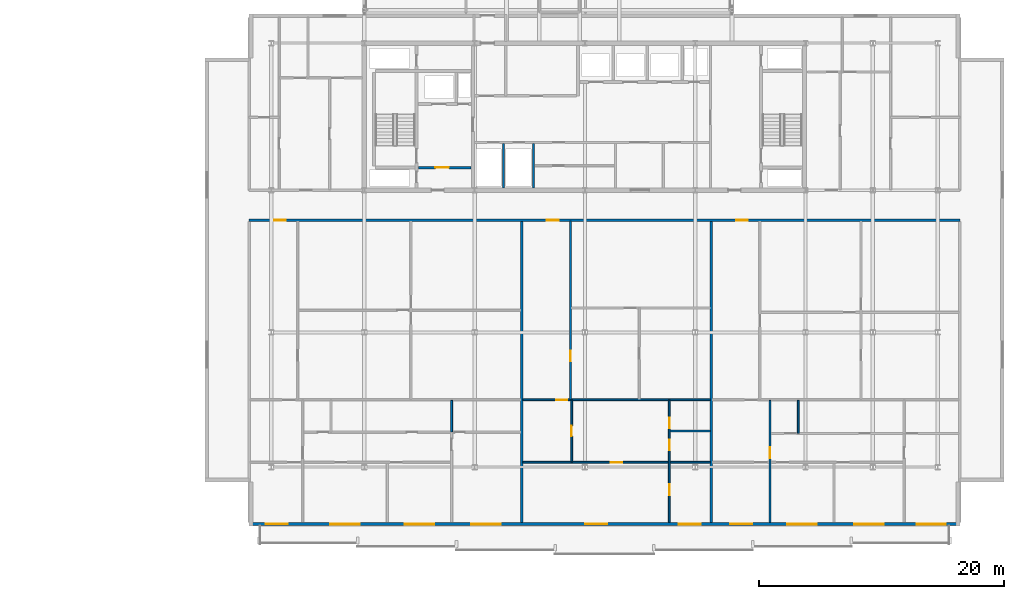
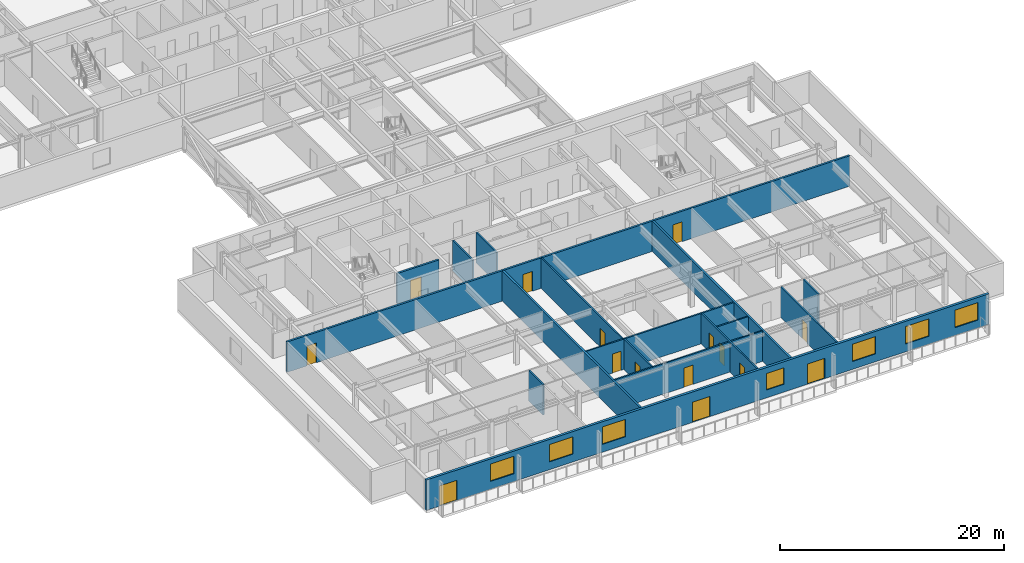
# One storey, part 18 of 36: 16 walls, 15 doors, 7 windows, 22 openings.
"""IFC4 building model written with IfcOpenShell, lengths in metres."""

from ifc_helpers import new_model, si_unit, direction, frame, frame_2d, origin, place, context, subcontext, project, spatial, rectangle, extrude, material, layer, layer_set, type_object, element, fill, save


model = new_model("IFC4")

# Units and contexts
model_context = context("Model", 3, precision=1e-05, world=origin(), true_north=direction((0.0, 1.0)))
body_context = subcontext(model_context, "Body", "Model", "MODEL_VIEW")
ifc_project = project(units=[si_unit("LENGTHUNIT", "METRE"), si_unit("AREAUNIT", "SQUARE_METRE"), si_unit("VOLUMEUNIT", "CUBIC_METRE"), si_unit("PLANEANGLEUNIT", "RADIAN"), si_unit("MASSUNIT", "GRAM", prefix="KILO")], contexts=[model_context])

# Site, building, storey
site_placement = place(None, origin())
site = spatial("IfcSite", under=ifc_project, at=site_placement, CompositionType="ELEMENT")
building_placement = place(site_placement, origin())
building = spatial("IfcBuilding", under=site, at=building_placement, Name="Korimba Cascade Residences", CompositionType="ELEMENT")
storey_placement = place(building_placement, frame((0.0, 0.0, 139.300048828125)))
storey = spatial("IfcBuildingStorey", under=building, at=storey_placement, Name="L40", CompositionType="ELEMENT", Elevation=139.300048828125)

# Wall, openings, doors, windows
ifc_material_1 = material(Name="Precast concrete C40/50", Category="concrete")
ifc_layer_1 = layer(ifc_material_1, 0.25)
ifc_layer_set_1 = layer_set([ifc_layer_1], Name="Precast concrete C40/50")
wall_type_1 = type_object("IfcWallType", Name="EW-LOG-250", PredefinedType="STANDARD", material=ifc_layer_set_1)
wall_1_placement = place(storey_placement, frame((72.699951171875, -8.85009765625, 0.0), z_axis=(0.0, 0.0, 1.0), x_axis=(1.0, 0.0, 0.0)))
wall_1 = element("IfcWall", 1, at=wall_1_placement, inside=storey, type_object=wall_type_1, Name="L40 T2 Perimeter Stone Wall E00", PredefinedType="STANDARD", context=body_context, shape_type="SweptSolid", body=[
    extrude(rectangle(XDim=58.0, YDim=0.25, at=frame_2d((29.0, 0.0))), origin(), (0.0, 0.0, 1.0), 3.31005859375),
])
opening_1_placement = place(wall_1_placement, frame((6.625, 0.0, 0.85009765625)))
opening_1 = element("IfcOpeningElement", 2, at=opening_1_placement, cuts=wall_1, Name="Opening W-01", PredefinedType="OPENING", context=body_context, shape_type="SweptSolid", body=[
    extrude(rectangle(XDim=2.39990234375, YDim=1.89990234375, at=frame_2d((1.199951171875, 0.949951171875))), frame((0.0, 0.135009765625, 0.0), z_axis=(0.0, -1.0, 0.0), x_axis=(1.0, 0.0, 0.0)), (0.0, 0.0, 1.0), 0.27001953125),
])
opening_2_placement = place(wall_1_placement, frame((12.699951171875, 0.0, 0.85009765625)))
opening_2 = element("IfcOpeningElement", 3, at=opening_2_placement, cuts=wall_1, Name="Opening W-01", PredefinedType="OPENING", context=body_context, shape_type="SweptSolid", body=[
    extrude(rectangle(XDim=2.39990234375, YDim=1.89990234375, at=frame_2d((1.199951171875, 0.949951171875))), frame((0.0, 0.135009765625, 0.0), z_axis=(0.0, -1.0, 0.0), x_axis=(1.0, 0.0, 0.0)), (0.0, 0.0, 1.0), 0.27001953125),
])
opening_3_placement = place(wall_1_placement, frame((1.344970703125, 0.0, 0.0)))
opening_3 = element("IfcOpeningElement", 4, at=opening_3_placement, cuts=wall_1, Name="Opening D-LG1", PredefinedType="OPENING", context=body_context, shape_type="SweptSolid", body=[
    extrude(rectangle(XDim=1.800048828125, YDim=2.199951171875, at=frame_2d((0.89990234375, 1.10009765625))), frame((0.0, 0.135009765625, 0.0), z_axis=(0.0, -1.0, 0.0), x_axis=(1.0, 0.0, 0.0)), (0.0, 0.0, 1.0), 0.27001953125),
])
opening_4_placement = place(wall_1_placement, frame((18.125, 0.0, 0.85009765625)))
opening_4 = element("IfcOpeningElement", 5, at=opening_4_placement, cuts=wall_1, Name="Opening W-01", PredefinedType="OPENING", context=body_context, shape_type="SweptSolid", body=[
    extrude(rectangle(XDim=2.39990234375, YDim=1.89990234375, at=frame_2d((1.199951171875, 0.949951171875))), frame((0.0, 0.135009765625, 0.0), z_axis=(0.0, -1.0, 0.0), x_axis=(1.0, 0.0, 0.0)), (0.0, 0.0, 1.0), 0.27001953125),
])
opening_5_placement = place(wall_1_placement, frame((27.42919921875, 0.0, 0.0)))
opening_5 = element("IfcOpeningElement", 6, at=opening_5_placement, cuts=wall_1, Name="Opening D-LG1", PredefinedType="OPENING", context=body_context, shape_type="SweptSolid", body=[
    extrude(rectangle(XDim=1.800048828125, YDim=2.199951171875, at=frame_2d((0.89990234375, 1.10009765625))), frame((0.0, 0.135009765625, 0.0), z_axis=(0.0, -1.0, 0.0), x_axis=(1.0, 0.0, 0.0)), (0.0, 0.0, 1.0), 0.27001953125),
])
opening_6_placement = place(wall_1_placement, frame((35.038330078125, 0.0, 0.85009765625)))
opening_6 = element("IfcOpeningElement", 7, at=opening_6_placement, cuts=wall_1, Name="Opening W-02", PredefinedType="OPENING", context=body_context, shape_type="SweptSolid", body=[
    extrude(rectangle(XDim=1.800048828125, YDim=1.800048828125, at=frame_2d((0.89990234375, 0.89990234375))), frame((0.0, 0.135009765625, 0.0), z_axis=(0.0, -1.0, 0.0), x_axis=(1.0, 0.0, 0.0)), (0.0, 0.0, 1.0), 0.27001953125),
])
opening_7_placement = place(wall_1_placement, frame((43.9111328125, 0.0, 0.85009765625)))
opening_7 = element("IfcOpeningElement", 8, at=opening_7_placement, cuts=wall_1, Name="Opening W-01", PredefinedType="OPENING", context=body_context, shape_type="SweptSolid", body=[
    extrude(rectangle(XDim=2.39990234375, YDim=1.89990234375, at=frame_2d((1.199951171875, 0.949951171875))), frame((0.0, 0.135009765625, 0.0), z_axis=(0.0, -1.0, 0.0), x_axis=(1.0, 0.0, 0.0)), (0.0, 0.0, 1.0), 0.27001953125),
])
opening_8_placement = place(wall_1_placement, frame((49.386962890625, 0.0, 0.85009765625)))
opening_8 = element("IfcOpeningElement", 9, at=opening_8_placement, cuts=wall_1, Name="Opening W-01", PredefinedType="OPENING", context=body_context, shape_type="SweptSolid", body=[
    extrude(rectangle(XDim=2.39990234375, YDim=1.89990234375, at=frame_2d((1.199951171875, 0.949951171875))), frame((0.0, 0.135009765625, 0.0), z_axis=(0.0, -1.0, 0.0), x_axis=(1.0, 0.0, 0.0)), (0.0, 0.0, 1.0), 0.27001953125),
])
opening_9_placement = place(wall_1_placement, frame((39.26318359375, 0.0, 0.0)))
opening_9 = element("IfcOpeningElement", 10, at=opening_9_placement, cuts=wall_1, Name="Opening D-LG1", PredefinedType="OPENING", context=body_context, shape_type="SweptSolid", body=[
    extrude(rectangle(XDim=1.800048828125, YDim=2.199951171875, at=frame_2d((0.89990234375, 1.10009765625))), frame((0.0, 0.135009765625, 0.0), z_axis=(0.0, -1.0, 0.0), x_axis=(1.0, 0.0, 0.0)), (0.0, 0.0, 1.0), 0.27001953125),
])
opening_10_placement = place(wall_1_placement, frame((54.465087890625, 0.0, 0.85009765625)))
opening_10 = element("IfcOpeningElement", 11, at=opening_10_placement, cuts=wall_1, Name="Opening W-01", PredefinedType="OPENING", context=body_context, shape_type="SweptSolid", body=[
    extrude(rectangle(XDim=2.39990234375, YDim=1.89990234375, at=frame_2d((1.199951171875, 0.949951171875))), frame((0.0, 0.135009765625, 0.0), z_axis=(0.0, -1.0, 0.0), x_axis=(1.0, 0.0, 0.0)), (0.0, 0.0, 1.0), 0.27001953125),
])
ifc_material_2 = material(Name="Glazed Aluminium Loggia Sliding Door", Category="aluminium")
door_type_1 = type_object("IfcDoorType", Name="DR-EXT-LOG", OperationType="NOTDEFINED", PredefinedType="DOOR", material=ifc_material_2)
door_1_placement = place(opening_3_placement, origin())
door_1 = element("IfcDoor", 12, at=door_1_placement, inside=storey, type_object=door_type_1, Name="L40 T2 Loggia Sliding Door 5", OperationType="SLIDING_TO_RIGHT", OverallHeight=2.199951171875, OverallWidth=1.800048828125, PredefinedType="DOOR", context=body_context, shape_type="SweptSolid", body=[
    extrude(rectangle(XDim=1.800048828125, YDim=2.199951171875, at=frame_2d((0.89990234375, 1.10009765625))), frame((0.0, 0.02490234375, 0.0), z_axis=(0.0, -1.0, 0.0), x_axis=(1.0, 0.0, 0.0)), (0.0, 0.0, 1.0), 0.050048828125),
])
fill(opening_3, door_1)
door_2_placement = place(opening_5_placement, origin())
door_2 = element("IfcDoor", 13, at=door_2_placement, inside=storey, type_object=door_type_1, Name="L40 T2 Loggia Sliding Door 7", OperationType="SLIDING_TO_RIGHT", OverallHeight=2.199951171875, OverallWidth=1.800048828125, PredefinedType="DOOR", context=body_context, shape_type="SweptSolid", body=[
    extrude(rectangle(XDim=1.800048828125, YDim=2.199951171875, at=frame_2d((0.89990234375, 1.10009765625))), frame((0.0, 0.02490234375, 0.0), z_axis=(0.0, -1.0, 0.0), x_axis=(1.0, 0.0, 0.0)), (0.0, 0.0, 1.0), 0.050048828125),
])
fill(opening_5, door_2)
door_3_placement = place(opening_9_placement, origin())
door_3 = element("IfcDoor", 14, at=door_3_placement, inside=storey, type_object=door_type_1, Name="L40 T2 Loggia Sliding Door 11", OperationType="SLIDING_TO_RIGHT", OverallHeight=2.199951171875, OverallWidth=1.800048828125, PredefinedType="DOOR", context=body_context, shape_type="SweptSolid", body=[
    extrude(rectangle(XDim=1.800048828125, YDim=2.199951171875, at=frame_2d((0.89990234375, 1.10009765625))), frame((0.0, 0.02490234375, 0.0), z_axis=(0.0, -1.0, 0.0), x_axis=(1.0, 0.0, 0.0)), (0.0, 0.0, 1.0), 0.050048828125),
])
fill(opening_9, door_3)
ifc_material_3 = material(Name="Double-Glazed Aluminium Window", Category="aluminium")
window_type_1 = type_object("IfcWindowType", Name="WIN-BED-1800", PartitioningType="SINGLE_PANEL", PredefinedType="WINDOW", material=ifc_material_3)
window_1_placement = place(opening_6_placement, origin())
window_1 = element("IfcWindow", 15, at=window_1_placement, inside=storey, type_object=window_type_1, Name="L40 T2 South Facade Window 8", OverallHeight=1.800048828125, OverallWidth=1.800048828125, PartitioningType="SINGLE_PANEL", PredefinedType="WINDOW", context=body_context, shape_type="SweptSolid", body=[
    extrude(rectangle(XDim=1.800048828125, YDim=1.800048828125, at=frame_2d((0.89990234375, 0.89990234375))), frame((0.0, 0.030029296875, 0.0), z_axis=(0.0, -1.0, 0.0), x_axis=(1.0, 0.0, 0.0)), (0.0, 0.0, 1.0), 0.06005859375),
])
fill(opening_6, window_1)
window_type_2 = type_object("IfcWindowType", Name="WIN-RES-2400", PartitioningType="DOUBLE_PANEL_VERTICAL", PredefinedType="WINDOW", material=ifc_material_3)
window_2_placement = place(opening_1_placement, origin())
window_2 = element("IfcWindow", 16, at=window_2_placement, inside=storey, type_object=window_type_2, Name="L40 T2 South Facade Window 3", OverallHeight=1.89990234375, OverallWidth=2.39990234375, PartitioningType="DOUBLE_PANEL_VERTICAL", PredefinedType="WINDOW", context=body_context, shape_type="SweptSolid", body=[
    extrude(rectangle(XDim=2.39990234375, YDim=1.89990234375, at=frame_2d((1.199951171875, 0.949951171875))), frame((0.0, 0.030029296875, 0.0), z_axis=(0.0, -1.0, 0.0), x_axis=(1.0, 0.0, 0.0)), (0.0, 0.0, 1.0), 0.06005859375),
])
fill(opening_1, window_2)
window_3_placement = place(opening_2_placement, origin())
window_3 = element("IfcWindow", 17, at=window_3_placement, inside=storey, type_object=window_type_2, Name="L40 T2 South Facade Window 4", OverallHeight=1.89990234375, OverallWidth=2.39990234375, PartitioningType="DOUBLE_PANEL_VERTICAL", PredefinedType="WINDOW", context=body_context, shape_type="SweptSolid", body=[
    extrude(rectangle(XDim=2.39990234375, YDim=1.89990234375, at=frame_2d((1.199951171875, 0.949951171875))), frame((0.0, 0.030029296875, 0.0), z_axis=(0.0, -1.0, 0.0), x_axis=(1.0, 0.0, 0.0)), (0.0, 0.0, 1.0), 0.06005859375),
])
fill(opening_2, window_3)
window_4_placement = place(opening_4_placement, origin())
window_4 = element("IfcWindow", 18, at=window_4_placement, inside=storey, type_object=window_type_2, Name="L40 T2 South Facade Window 6", OverallHeight=1.89990234375, OverallWidth=2.39990234375, PartitioningType="DOUBLE_PANEL_VERTICAL", PredefinedType="WINDOW", context=body_context, shape_type="SweptSolid", body=[
    extrude(rectangle(XDim=2.39990234375, YDim=1.89990234375, at=frame_2d((1.199951171875, 0.949951171875))), frame((0.0, 0.030029296875, 0.0), z_axis=(0.0, -1.0, 0.0), x_axis=(1.0, 0.0, 0.0)), (0.0, 0.0, 1.0), 0.06005859375),
])
fill(opening_4, window_4)
window_5_placement = place(opening_7_placement, origin())
window_5 = element("IfcWindow", 19, at=window_5_placement, inside=storey, type_object=window_type_2, Name="L40 T2 South Facade Window 9", OverallHeight=1.89990234375, OverallWidth=2.39990234375, PartitioningType="DOUBLE_PANEL_VERTICAL", PredefinedType="WINDOW", context=body_context, shape_type="SweptSolid", body=[
    extrude(rectangle(XDim=2.39990234375, YDim=1.89990234375, at=frame_2d((1.199951171875, 0.949951171875))), frame((0.0, 0.030029296875, 0.0), z_axis=(0.0, -1.0, 0.0), x_axis=(1.0, 0.0, 0.0)), (0.0, 0.0, 1.0), 0.06005859375),
])
fill(opening_7, window_5)
window_6_placement = place(opening_8_placement, origin())
window_6 = element("IfcWindow", 20, at=window_6_placement, inside=storey, type_object=window_type_2, Name="L40 T2 South Facade Window 10", OverallHeight=1.89990234375, OverallWidth=2.39990234375, PartitioningType="DOUBLE_PANEL_VERTICAL", PredefinedType="WINDOW", context=body_context, shape_type="SweptSolid", body=[
    extrude(rectangle(XDim=2.39990234375, YDim=1.89990234375, at=frame_2d((1.199951171875, 0.949951171875))), frame((0.0, 0.030029296875, 0.0), z_axis=(0.0, -1.0, 0.0), x_axis=(1.0, 0.0, 0.0)), (0.0, 0.0, 1.0), 0.06005859375),
])
fill(opening_8, window_6)
window_7_placement = place(opening_10_placement, origin())
window_7 = element("IfcWindow", 21, at=window_7_placement, inside=storey, type_object=window_type_2, Name="L40 T2 South Facade Window 12", OverallHeight=1.89990234375, OverallWidth=2.39990234375, PartitioningType="DOUBLE_PANEL_VERTICAL", PredefinedType="WINDOW", context=body_context, shape_type="SweptSolid", body=[
    extrude(rectangle(XDim=2.39990234375, YDim=1.89990234375, at=frame_2d((1.199951171875, 0.949951171875))), frame((0.0, 0.030029296875, 0.0), z_axis=(0.0, -1.0, 0.0), x_axis=(1.0, 0.0, 0.0)), (0.0, 0.0, 1.0), 0.06005859375),
])
fill(opening_10, window_7)

# Walls
ifc_layer_2 = layer(ifc_material_1, 0.199951171875)
ifc_layer_set_2 = layer_set([ifc_layer_2], Name="Precast concrete C40/50")
wall_type_2 = type_object("IfcWallType", Name="WAL-IT-200", PredefinedType="PARTITIONING", material=ifc_layer_set_2)
for number, where, z_axis, x_axis, name in (
    (22, (94.949951171875, -8.699951171875, 0.0), (0.0, 0.0, 1.0), (0.0, 1.0, 0.0), "L40 Partition Wall WAL-L40-T2-DEM-1"),
    (23, (110.408203125, -8.699951171875, 0.0), (0.0, 0.0, 1.0), (0.0, 1.0, 0.0), "L40 Partition Wall WAL-L40-T2-DEM-2"),
):
    element("IfcWall", number, at=place(storey_placement, frame(where, z_axis=z_axis, x_axis=x_axis)), inside=storey, type_object=wall_type_2, Name=name, PredefinedType="PARTITIONING", context=body_context, shape_type="SweptSolid", body=[
        extrude(rectangle(XDim=24.570068359375, YDim=0.199951171875, at=frame_2d((12.28515625, 0.0))), origin(), (0.0, 0.0, 1.0), 3.31005859375),
    ])

# Wall, openings, doors
wall_2_placement = place(storey_placement, frame((72.699951171875, 15.949951171875, 0.0), z_axis=(0.0, 0.0, 1.0), x_axis=(1.0, 0.0, 0.0)))
wall_2 = element("IfcWall", 24, at=wall_2_placement, inside=storey, type_object=wall_type_2, Name="L40 Partition Wall WAL-L40-T2-CORS", PredefinedType="PARTITIONING", context=body_context, shape_type="SweptSolid", body=[
    extrude(rectangle(XDim=58.0, YDim=0.199951171875, at=frame_2d((29.0, 0.0))), origin(), (0.0, 0.0, 1.0), 3.31005859375),
])
opening_11_placement = place(wall_2_placement, frame((2.044921875, 0.0, 0.0)))
opening_11 = element("IfcOpeningElement", 25, at=opening_11_placement, cuts=wall_2, Name="Opening D-UN1", PredefinedType="OPENING", context=body_context, shape_type="SweptSolid", body=[
    extrude(rectangle(XDim=0.949951171875, YDim=2.14990234375, at=frame_2d((0.47509765625, 1.074951171875))), frame((0.0, 0.10986328125, 0.0), z_axis=(0.0, -1.0, 0.0), x_axis=(1.0, 0.0, 0.0)), (0.0, 0.0, 1.0), 0.219970703125),
])
opening_12_placement = place(wall_2_placement, frame((24.294921875, 0.0, 0.0)))
opening_12 = element("IfcOpeningElement", 26, at=opening_12_placement, cuts=wall_2, Name="Opening D-UN1", PredefinedType="OPENING", context=body_context, shape_type="SweptSolid", body=[
    extrude(rectangle(XDim=0.949951171875, YDim=2.14990234375, at=frame_2d((0.47509765625, 1.074951171875))), frame((0.0, 0.10986328125, 0.0), z_axis=(0.0, -1.0, 0.0), x_axis=(1.0, 0.0, 0.0)), (0.0, 0.0, 1.0), 0.219970703125),
])
opening_13_placement = place(wall_2_placement, frame((39.75341796875, 0.0, 0.0)))
opening_13 = element("IfcOpeningElement", 27, at=opening_13_placement, cuts=wall_2, Name="Opening D-UN1", PredefinedType="OPENING", context=body_context, shape_type="SweptSolid", body=[
    extrude(rectangle(XDim=0.949951171875, YDim=2.14990234375, at=frame_2d((0.47509765625, 1.074951171875))), frame((0.0, 0.10986328125, 0.0), z_axis=(0.0, -1.0, 0.0), x_axis=(1.0, 0.0, 0.0)), (0.0, 0.0, 1.0), 0.219970703125),
])
ifc_material_4 = material(Name="Fire-Rated Hardwood Apartment Entrance Door", Category="wood")
door_type_2 = type_object("IfcDoorType", Name="DR-FD60-950", OperationType="NOTDEFINED", PredefinedType="DOOR", material=ifc_material_4)
door_4_placement = place(opening_11_placement, origin())
door_4 = element("IfcDoor", 28, at=door_4_placement, inside=storey, type_object=door_type_2, Name="Unit L40-T2-U01 Entrance Door", OperationType="SINGLE_SWING_LEFT", OverallHeight=2.14990234375, OverallWidth=0.949951171875, PredefinedType="DOOR", context=body_context, shape_type="SweptSolid", body=[
    extrude(rectangle(XDim=0.949951171875, YDim=2.14990234375, at=frame_2d((0.47509765625, 1.074951171875))), frame((0.0, 0.02490234375, 0.0), z_axis=(0.0, -1.0, 0.0), x_axis=(1.0, 0.0, 0.0)), (0.0, 0.0, 1.0), 0.050048828125),
])
fill(opening_11, door_4)
door_5_placement = place(opening_12_placement, origin())
door_5 = element("IfcDoor", 29, at=door_5_placement, inside=storey, type_object=door_type_2, Name="Unit L40-T2-U02 Entrance Door", OperationType="SINGLE_SWING_RIGHT", OverallHeight=2.14990234375, OverallWidth=0.949951171875, PredefinedType="DOOR", context=body_context, shape_type="SweptSolid", body=[
    extrude(rectangle(XDim=0.949951171875, YDim=2.14990234375, at=frame_2d((0.47509765625, 1.074951171875))), frame((0.0, 0.02490234375, 0.0), z_axis=(0.0, -1.0, 0.0), x_axis=(1.0, 0.0, 0.0)), (0.0, 0.0, 1.0), 0.050048828125),
])
fill(opening_12, door_5)
door_6_placement = place(opening_13_placement, origin())
door_6 = element("IfcDoor", 30, at=door_6_placement, inside=storey, type_object=door_type_2, Name="Unit L40-T2-U03 Entrance Door", OperationType="SINGLE_SWING_LEFT", OverallHeight=2.14990234375, OverallWidth=0.949951171875, PredefinedType="DOOR", context=body_context, shape_type="SweptSolid", body=[
    extrude(rectangle(XDim=0.949951171875, YDim=2.14990234375, at=frame_2d((0.47509765625, 1.074951171875))), frame((0.0, 0.02490234375, 0.0), z_axis=(0.0, -1.0, 0.0), x_axis=(1.0, 0.0, 0.0)), (0.0, 0.0, 1.0), 0.050048828125),
])
fill(opening_13, door_6)

# Walls
ifc_material_5 = material(Name="Insulated Acoustic Stud Partition", Category="gypsum")
ifc_layer_3 = layer(ifc_material_5, 0.14990234375)
ifc_layer_set_3 = layer_set([ifc_layer_3], Name="Insulated Acoustic Stud Partition")
wall_type_3 = type_object("IfcWallType", Name="WAL-PART-150", PredefinedType="PARTITIONING", material=ifc_layer_set_3)
for number, where, z_axis, x_axis, name in (
    (31, (93.449951171875, 18.60009765625, 0.0), (0.0, 0.0, 1.0), (0.0, 1.0, 0.0), "L40 Partition Wall CW-L40-T2-ERDIV"),
    (32, (95.89990234375, 18.60009765625, 0.0), (0.0, 0.0, 1.0), (0.0, 1.0, 0.0), "L40 Partition Wall CW-L40-T2-PRDIV"),
):
    element("IfcWall", number, at=place(storey_placement, frame(where, z_axis=z_axis, x_axis=x_axis)), inside=storey, type_object=wall_type_3, Name=name, PredefinedType="PARTITIONING", context=body_context, shape_type="SweptSolid", body=[
        extrude(rectangle(XDim=3.599853515625, YDim=0.14990234375, at=frame_2d((1.7998046875, 0.0))), origin(), (0.0, 0.0, 1.0), 3.31005859375),
    ])
wall_3_placement = place(storey_placement, frame((89.219970703125, -1.320068359375, 0.0), z_axis=(0.0, 0.0, 1.0), x_axis=(0.0, 1.0, 0.0)))
element("IfcWall", 33, at=wall_3_placement, inside=storey, type_object=wall_type_3, Name="L40 Partition Wall WAL-L40-T2-U01-VBATH", PredefinedType="PARTITIONING", context=body_context, shape_type="SweptSolid", body=[
    extrude(rectangle(XDim=2.580078125, YDim=0.14990234375, at=frame_2d((1.2900390625, 0.0))), origin(), (0.0, 0.0, 1.0), 3.31005859375),
])

# Wall, opening, door
wall_4_placement = place(storey_placement, frame((98.919921875, 1.340087890625, 0.0), z_axis=(0.0, 0.0, 1.0), x_axis=(0.0, 1.0, 0.0)))
wall_4 = element("IfcWall", 34, at=wall_4_placement, inside=storey, type_object=wall_type_3, Name="L40 Partition Wall WAL-L40-T2-U02-FV", PredefinedType="PARTITIONING", context=body_context, shape_type="SweptSolid", body=[
    extrude(rectangle(XDim=14.5498046875, YDim=0.14990234375, at=frame_2d((7.27490234375, 0.0))), origin(), (0.0, 0.0, 1.0), 3.31005859375),
])
opening_14_placement = place(wall_4_placement, frame((3.098388671875, 0.0, 0.0)))
opening_14 = element("IfcOpeningElement", 35, at=opening_14_placement, cuts=wall_4, Name="Opening D-IN2", PredefinedType="OPENING", context=body_context, shape_type="SweptSolid", body=[
    extrude(rectangle(XDim=0.8798828125, YDim=2.06005859375, at=frame_2d((0.43994140625, 1.030029296875))), frame((0.0, 0.0849609375, 0.0), z_axis=(0.0, -1.0, 0.0), x_axis=(1.0, 0.0, 0.0)), (0.0, 0.0, 1.0), 0.169921875),
])
ifc_material_6 = material(Name="Acoustic Timber Bedroom Door", Category="wood")
door_type_3 = type_object("IfcDoorType", Name="DR-INT-880", OperationType="NOTDEFINED", PredefinedType="DOOR", material=ifc_material_6)
door_7_placement = place(opening_14_placement, origin())
door_7 = element("IfcDoor", 36, at=door_7_placement, inside=storey, type_object=door_type_3, Name="L40-T2-U02 Media Lounge Door", OperationType="SINGLE_SWING_LEFT", OverallHeight=2.06005859375, OverallWidth=0.8798828125, PredefinedType="DOOR", context=body_context, shape_type="SweptSolid", body=[
    extrude(rectangle(XDim=0.8798828125, YDim=2.06005859375, at=frame_2d((0.43994140625, 1.030029296875))), frame((0.0, 0.02490234375, 0.0), z_axis=(0.0, -1.0, 0.0), x_axis=(1.0, 0.0, 0.0)), (0.0, 0.0, 1.0), 0.050048828125),
])
fill(opening_14, door_7)

wall_5_placement = place(storey_placement, frame((99.02001953125, -3.739990234375, 0.0), z_axis=(0.0, 0.0, 1.0), x_axis=(0.0, 1.0, 0.0)))
wall_5 = element("IfcWall", 37, at=wall_5_placement, inside=storey, type_object=wall_type_3, Name="L40 Partition Wall WAL-L40-T2-U02-VDIN", PredefinedType="PARTITIONING", context=body_context, shape_type="SweptSolid", body=[
    extrude(rectangle(XDim=5.0, YDim=0.14990234375, at=frame_2d((2.5, 0.0))), origin(), (0.0, 0.0, 1.0), 3.31005859375),
])
opening_15_placement = place(wall_5_placement, frame((2.06005859375, 0.0, 0.0)))
opening_15 = element("IfcOpeningElement", 38, at=opening_15_placement, cuts=wall_5, Name="Opening D-IN2", PredefinedType="OPENING", context=body_context, shape_type="SweptSolid", body=[
    extrude(rectangle(XDim=0.8798828125, YDim=2.06005859375, at=frame_2d((0.43994140625, 1.030029296875))), frame((0.0, 0.0849609375, 0.0), z_axis=(0.0, -1.0, 0.0), x_axis=(1.0, 0.0, 0.0)), (0.0, 0.0, 1.0), 0.169921875),
])
door_8_placement = place(opening_15_placement, origin())
door_8 = element("IfcDoor", 39, at=door_8_placement, inside=storey, type_object=door_type_3, Name="L40-T2-U02 Dining Room Door", OperationType="SINGLE_SWING_RIGHT", OverallHeight=2.06005859375, OverallWidth=0.8798828125, PredefinedType="DOOR", context=body_context, shape_type="SweptSolid", body=[
    extrude(rectangle(XDim=0.8798828125, YDim=2.06005859375, at=frame_2d((0.43994140625, 1.030029296875))), frame((0.0, 0.02490234375, 0.0), z_axis=(0.0, -1.0, 0.0), x_axis=(1.0, 0.0, 0.0)), (0.0, 0.0, 1.0), 0.050048828125),
])
fill(opening_15, door_8)

# Wall
wall_6_placement = place(storey_placement, frame((107.04833984375, -1.239990234375, 0.0), z_axis=(0.0, 0.0, 1.0), x_axis=(1.0, 0.0, 0.0)))
element("IfcWall", 40, at=wall_6_placement, inside=storey, type_object=wall_type_3, Name="L40 Partition Wall WAL-L40-T2-U02-BLDIV", PredefinedType="PARTITIONING", context=body_context, shape_type="SweptSolid", body=[
    extrude(rectangle(XDim=3.280029296875, YDim=0.14990234375, at=frame_2d((1.64013671875, 0.0))), origin(), (0.0, 0.0, 1.0), 3.31005859375),
])

# Wall, openings, doors
wall_7_placement = place(storey_placement, frame((106.98828125, -8.699951171875, 0.0), z_axis=(0.0, 0.0, 1.0), x_axis=(0.0, 1.0, 0.0)))
wall_7 = element("IfcWall", 41, at=wall_7_placement, inside=storey, type_object=wall_type_3, Name="L40 Partition Wall WAL-L40-T2-U02-V1", PredefinedType="PARTITIONING", context=body_context, shape_type="SweptSolid", body=[
    extrude(rectangle(XDim=9.9599609375, YDim=0.14990234375, at=frame_2d((4.97998046875, 0.0))), origin(), (0.0, 0.0, 1.0), 3.31005859375),
])
opening_16_placement = place(wall_7_placement, frame((5.894287109375, 0.0, 0.0)))
opening_16 = element("IfcOpeningElement", 42, at=opening_16_placement, cuts=wall_7, Name="Opening D-BT1", PredefinedType="OPENING", context=body_context, shape_type="SweptSolid", body=[
    extrude(rectangle(XDim=0.840087890625, YDim=2.0400390625, at=frame_2d((0.419921875, 1.02001953125))), frame((0.0, 0.0849609375, 0.0), z_axis=(0.0, -1.0, 0.0), x_axis=(1.0, 0.0, 0.0)), (0.0, 0.0, 1.0), 0.169921875),
])
opening_17_placement = place(wall_7_placement, frame((7.689697265625, 0.0, 0.0)))
opening_17 = element("IfcOpeningElement", 43, at=opening_17_placement, cuts=wall_7, Name="Opening D-BT1", PredefinedType="OPENING", context=body_context, shape_type="SweptSolid", body=[
    extrude(rectangle(XDim=0.840087890625, YDim=2.0400390625, at=frame_2d((0.419921875, 1.02001953125))), frame((0.0, 0.0849609375, 0.0), z_axis=(0.0, -1.0, 0.0), x_axis=(1.0, 0.0, 0.0)), (0.0, 0.0, 1.0), 0.169921875),
])
opening_18_placement = place(wall_7_placement, frame((2.222900390625, 0.0, 0.0)))
opening_18 = element("IfcOpeningElement", 44, at=opening_18_placement, cuts=wall_7, Name="Opening D-IN2", PredefinedType="OPENING", context=body_context, shape_type="SweptSolid", body=[
    extrude(rectangle(XDim=0.8798828125, YDim=2.06005859375, at=frame_2d((0.43994140625, 1.030029296875))), frame((0.0, 0.0849609375, 0.0), z_axis=(0.0, -1.0, 0.0), x_axis=(1.0, 0.0, 0.0)), (0.0, 0.0, 1.0), 0.169921875),
])
ifc_material_7 = material(Name="Moisture-Resistant Bathroom Timber Door", Category="wood")
door_type_4 = type_object("IfcDoorType", Name="DR-INT-850", OperationType="NOTDEFINED", PredefinedType="DOOR", material=ifc_material_7)
door_9_placement = place(opening_16_placement, origin())
door_9 = element("IfcDoor", 45, at=door_9_placement, inside=storey, type_object=door_type_4, Name="L40-T2-U02 Bathroom Door", OperationType="SINGLE_SWING_LEFT", OverallHeight=2.0400390625, OverallWidth=0.840087890625, PredefinedType="DOOR", context=body_context, shape_type="SweptSolid", body=[
    extrude(rectangle(XDim=0.840087890625, YDim=2.0400390625, at=frame_2d((0.419921875, 1.02001953125))), frame((0.0, 0.02490234375, 0.0), z_axis=(0.0, -1.0, 0.0), x_axis=(1.0, 0.0, 0.0)), (0.0, 0.0, 1.0), 0.050048828125),
])
fill(opening_16, door_9)
door_10_placement = place(opening_17_placement, origin())
door_10 = element("IfcDoor", 46, at=door_10_placement, inside=storey, type_object=door_type_4, Name="L40-T2-U02 Laundry Door", OperationType="SINGLE_SWING_RIGHT", OverallHeight=2.0400390625, OverallWidth=0.840087890625, PredefinedType="DOOR", context=body_context, shape_type="SweptSolid", body=[
    extrude(rectangle(XDim=0.840087890625, YDim=2.0400390625, at=frame_2d((0.419921875, 1.02001953125))), frame((0.0, 0.02490234375, 0.0), z_axis=(0.0, -1.0, 0.0), x_axis=(1.0, 0.0, 0.0)), (0.0, 0.0, 1.0), 0.050048828125),
])
fill(opening_17, door_10)
door_11_placement = place(opening_18_placement, origin())
door_11 = element("IfcDoor", 47, at=door_11_placement, inside=storey, type_object=door_type_3, Name="L40-T2-U02 Bedroom 1 Door", OperationType="SINGLE_SWING_LEFT", OverallHeight=2.06005859375, OverallWidth=0.8798828125, PredefinedType="DOOR", context=body_context, shape_type="SweptSolid", body=[
    extrude(rectangle(XDim=0.8798828125, YDim=2.06005859375, at=frame_2d((0.43994140625, 1.030029296875))), frame((0.0, 0.02490234375, 0.0), z_axis=(0.0, -1.0, 0.0), x_axis=(1.0, 0.0, 0.0)), (0.0, 0.0, 1.0), 0.050048828125),
])
fill(opening_18, door_11)

# Wall, opening, door
wall_8_placement = place(storey_placement, frame((95.030029296875, 1.300048828125, 0.0), z_axis=(0.0, 0.0, 1.0), x_axis=(1.0, 0.0, 0.0)))
wall_8 = element("IfcWall", 48, at=wall_8_placement, inside=storey, type_object=wall_type_3, Name="L40 Partition Wall WAL-L40-T2-U02-MW", PredefinedType="PARTITIONING", context=body_context, shape_type="SweptSolid", body=[
    extrude(rectangle(XDim=15.29833984375, YDim=0.14990234375, at=frame_2d((7.649169921875, 0.0))), origin(), (0.0, 0.0, 1.0), 3.31005859375),
])
opening_19_placement = place(wall_8_placement, frame((2.719970703125, 0.0, 0.0)))
opening_19 = element("IfcOpeningElement", 49, at=opening_19_placement, cuts=wall_8, Name="Opening D-IN1", PredefinedType="OPENING", context=body_context, shape_type="SweptSolid", body=[
    extrude(rectangle(XDim=0.919921875, YDim=2.080078125, at=frame_2d((0.4599609375, 1.0400390625))), frame((0.0, 0.0849609375, 0.0), z_axis=(0.0, -1.0, 0.0), x_axis=(1.0, 0.0, 0.0)), (0.0, 0.0, 1.0), 0.169921875),
])
ifc_material_8 = material(Name="Acoustic Timber Living Door", Category="wood")
door_type_5 = type_object("IfcDoorType", Name="DR-INT-920", OperationType="NOTDEFINED", PredefinedType="DOOR", material=ifc_material_8)
door_12_placement = place(opening_19_placement, origin())
door_12 = element("IfcDoor", 50, at=door_12_placement, inside=storey, type_object=door_type_5, Name="L40-T2-U02 Kitchen Archway Door", OperationType="SINGLE_SWING_RIGHT", OverallHeight=2.080078125, OverallWidth=0.919921875, PredefinedType="DOOR", context=body_context, shape_type="SweptSolid", body=[
    extrude(rectangle(XDim=0.919921875, YDim=2.080078125, at=frame_2d((0.4599609375, 1.0400390625))), frame((0.0, 0.02490234375, 0.0), z_axis=(0.0, -1.0, 0.0), x_axis=(1.0, 0.0, 0.0)), (0.0, 0.0, 1.0), 0.050048828125),
])
fill(opening_19, door_12)

wall_9_placement = place(storey_placement, frame((95.030029296875, -3.800048828125, 0.0), z_axis=(0.0, 0.0, 1.0), x_axis=(1.0, 0.0, 0.0)))
wall_9 = element("IfcWall", 51, at=wall_9_placement, inside=storey, type_object=wall_type_3, Name="L40 Partition Wall WAL-L40-T2-U02-HZ", PredefinedType="PARTITIONING", context=body_context, shape_type="SweptSolid", body=[
    extrude(rectangle(XDim=15.29833984375, YDim=0.14990234375, at=frame_2d((7.649169921875, 0.0))), origin(), (0.0, 0.0, 1.0), 3.31005859375),
])
opening_20_placement = place(wall_9_placement, frame((7.17919921875, 0.0, 0.0)))
opening_20 = element("IfcOpeningElement", 52, at=opening_20_placement, cuts=wall_9, Name="Opening D-IN0", PredefinedType="OPENING", context=body_context, shape_type="SweptSolid", body=[
    extrude(rectangle(XDim=0.93994140625, YDim=2.10009765625, at=frame_2d((0.469970703125, 1.050048828125))), frame((0.0, 0.0849609375, 0.0), z_axis=(0.0, -1.0, 0.0), x_axis=(1.0, 0.0, 0.0)), (0.0, 0.0, 1.0), 0.169921875),
])
ifc_material_9 = material(Name="Acoustic Timber Living Archway Door", Category="wood")
door_type_6 = type_object("IfcDoorType", Name="DR-INT-950", OperationType="NOTDEFINED", PredefinedType="DOOR", material=ifc_material_9)
door_13_placement = place(opening_20_placement, origin())
door_13 = element("IfcDoor", 53, at=door_13_placement, inside=storey, type_object=door_type_6, Name="L40-T2-U02 Living Archway Door", OperationType="SINGLE_SWING_LEFT", OverallHeight=2.10009765625, OverallWidth=0.93994140625, PredefinedType="DOOR", context=body_context, shape_type="SweptSolid", body=[
    extrude(rectangle(XDim=0.93994140625, YDim=2.10009765625, at=frame_2d((0.469970703125, 1.050048828125))), frame((0.0, 0.02490234375, 0.0), z_axis=(0.0, -1.0, 0.0), x_axis=(1.0, 0.0, 0.0)), (0.0, 0.0, 1.0), 0.050048828125),
])
fill(opening_20, door_13)

# Wall
wall_10_placement = place(storey_placement, frame((117.50830078125, -1.429931640625, 0.0), z_axis=(0.0, 0.0, 1.0), x_axis=(0.0, 1.0, 0.0)))
element("IfcWall", 54, at=wall_10_placement, inside=storey, type_object=wall_type_3, Name="L40 Partition Wall WAL-L40-T2-U03-VDRS", PredefinedType="PARTITIONING", context=body_context, shape_type="SweptSolid", body=[
    extrude(rectangle(XDim=2.68994140625, YDim=0.14990234375, at=frame_2d((1.344970703125, 0.0))), origin(), (0.0, 0.0, 1.0), 3.31005859375),
])

# Wall, opening, door
wall_11_placement = place(storey_placement, frame((115.1982421875, -8.699951171875, 0.0), z_axis=(0.0, 0.0, 1.0), x_axis=(0.0, 1.0, 0.0)))
wall_11 = element("IfcWall", 55, at=wall_11_placement, inside=storey, type_object=wall_type_3, Name="L40 Partition Wall WAL-L40-T2-U03-V1", PredefinedType="PARTITIONING", context=body_context, shape_type="SweptSolid", body=[
    extrude(rectangle(XDim=9.9599609375, YDim=0.14990234375, at=frame_2d((4.97998046875, 0.0))), origin(), (0.0, 0.0, 1.0), 3.31005859375),
])
opening_21_placement = place(wall_11_placement, frame((5.219970703125, 0.0, 0.0)))
opening_21 = element("IfcOpeningElement", 56, at=opening_21_placement, cuts=wall_11, Name="Opening D-IN1", PredefinedType="OPENING", context=body_context, shape_type="SweptSolid", body=[
    extrude(rectangle(XDim=0.919921875, YDim=2.080078125, at=frame_2d((0.4599609375, 1.0400390625))), frame((0.0, 0.0849609375, 0.0), z_axis=(0.0, -1.0, 0.0), x_axis=(1.0, 0.0, 0.0)), (0.0, 0.0, 1.0), 0.169921875),
])
door_14_placement = place(opening_21_placement, origin())
door_14 = element("IfcDoor", 57, at=door_14_placement, inside=storey, type_object=door_type_5, Name="L40-T2-U03 Hallway Door", OperationType="SINGLE_SWING_RIGHT", OverallHeight=2.080078125, OverallWidth=0.919921875, PredefinedType="DOOR", context=body_context, shape_type="SweptSolid", body=[
    extrude(rectangle(XDim=0.919921875, YDim=2.080078125, at=frame_2d((0.4599609375, 1.0400390625))), frame((0.0, 0.02490234375, 0.0), z_axis=(0.0, -1.0, 0.0), x_axis=(1.0, 0.0, 0.0)), (0.0, 0.0, 1.0), 0.050048828125),
])
fill(opening_21, door_14)

ifc_material_10 = material(Name="Concrete C40/50", Category="concrete")
ifc_layer_4 = layer(ifc_material_10, 0.199951171875)
ifc_layer_set_4 = layer_set([ifc_layer_4], Name="Concrete C40/50")
wall_type_4 = type_object("IfcWallType", Name="WAL-PART-200", PredefinedType="PARTITIONING", material=ifc_layer_set_4)
wall_12_placement = place(storey_placement, frame((86.5, 20.25, 0.0), z_axis=(0.0, 0.0, 1.0), x_axis=(1.0, 0.0, 0.0)))
wall_12 = element("IfcWall", 58, at=wall_12_placement, inside=storey, type_object=wall_type_4, Name="L40 Partition Wall CW-L40-T2-FFLS", PredefinedType="PARTITIONING", context=body_context, shape_type="SweptSolid", body=[
    extrude(rectangle(XDim=4.320068359375, YDim=0.199951171875, at=frame_2d((2.16015625, 0.0))), origin(), (0.0, 0.0, 1.0), 3.31005859375),
])
opening_22_placement = place(wall_12_placement, frame((1.39990234375, 0.0, 0.0)))
opening_22 = element("IfcOpeningElement", 59, at=opening_22_placement, cuts=wall_12, Name="Opening D-FD1", PredefinedType="OPENING", context=body_context, shape_type="SweptSolid", body=[
    extrude(rectangle(XDim=1.10009765625, YDim=2.10009765625, at=frame_2d((0.550048828125, 1.050048828125))), frame((0.0, 0.10986328125, 0.0), z_axis=(0.0, -1.0, 0.0), x_axis=(1.0, 0.0, 0.0)), (0.0, 0.0, 1.0), 0.219970703125),
])
ifc_material_11 = material(Name="Fire-Rated Steel Core Door", Category="steel")
door_type_7 = type_object("IfcDoorType", Name="DR-FD120-1100", OperationType="NOTDEFINED", PredefinedType="DOOR", material=ifc_material_11)
door_15_placement = place(opening_22_placement, origin())
door_15 = element("IfcDoor", 60, at=door_15_placement, inside=storey, type_object=door_type_7, Name="L40 T2 Firefighting Lobby Door", OperationType="SINGLE_SWING_RIGHT", OverallHeight=2.10009765625, OverallWidth=1.10009765625, PredefinedType="DOOR", context=body_context, shape_type="SweptSolid", body=[
    extrude(rectangle(XDim=1.10009765625, YDim=2.10009765625, at=frame_2d((0.550048828125, 1.050048828125))), frame((0.0, 0.02490234375, 0.0), z_axis=(0.0, -1.0, 0.0), x_axis=(1.0, 0.0, 0.0)), (0.0, 0.0, 1.0), 0.050048828125),
])
fill(opening_22, door_15)

save(model, "model.ifc")
